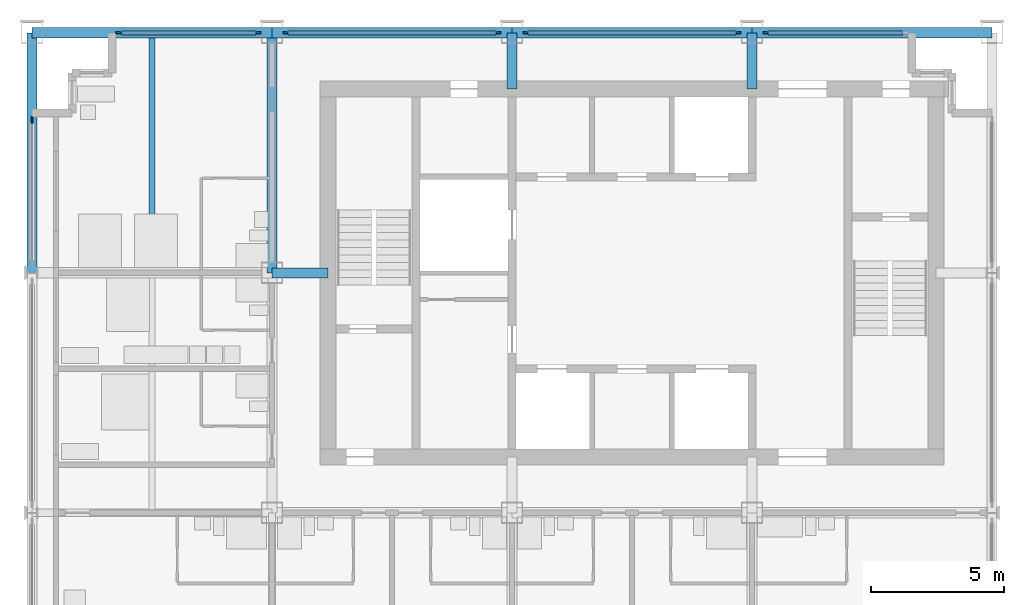
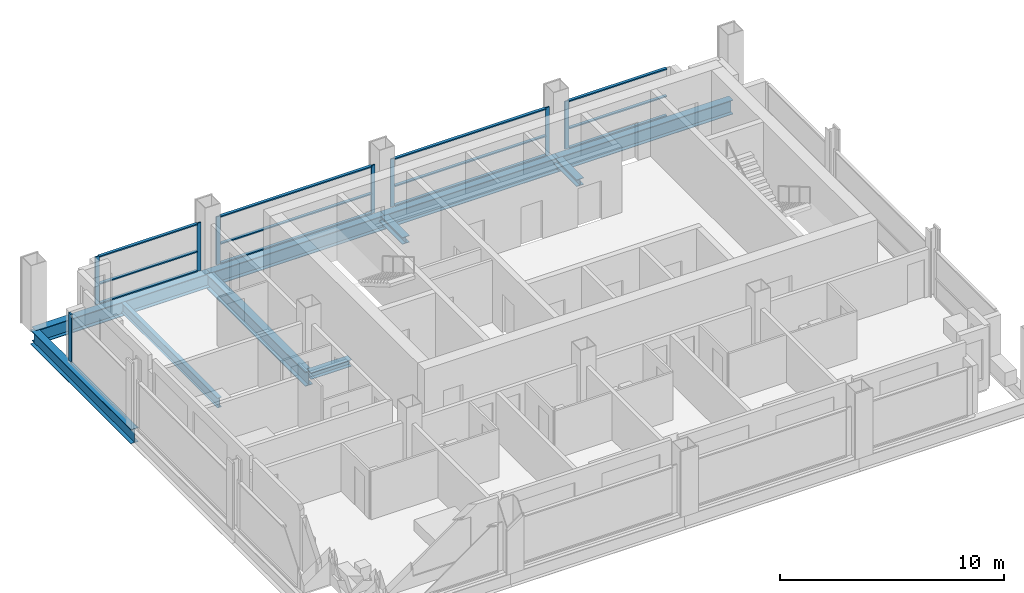
# One storey, part 3 of 12: 23 members, 7 beams, 5 elements without a shape of their own.
"""IFC4 building model written with IfcOpenShell, lengths in metres."""

from ifc_helpers import new_model, si_unit, direction, frame, origin, origin_2d, place, context, subcontext, project, spatial, rectangle, i_section, extrude, material, material_profile, profile_set, type_object, element, aggregate, save


model = new_model("IFC4")

# Units and contexts
model_context = context("Model", 3, precision=1e-05, world=origin(), true_north=direction((0.0, 1.0)))
body_context = subcontext(model_context, "Body", "Model", "MODEL_VIEW")
ifc_project = project(units=[si_unit("LENGTHUNIT", "METRE"), si_unit("AREAUNIT", "SQUARE_METRE"), si_unit("VOLUMEUNIT", "CUBIC_METRE"), si_unit("PLANEANGLEUNIT", "RADIAN"), si_unit("MASSUNIT", "GRAM", prefix="KILO")], contexts=[model_context])

# Site, building, storey
site_placement = place(None, origin())
site = spatial("IfcSite", under=ifc_project, at=site_placement, CompositionType="ELEMENT")
building_placement = place(site_placement, origin())
building = spatial("IfcBuilding", under=site, at=building_placement, Name="Loomwork Tower", CompositionType="ELEMENT")
storey_placement = place(building_placement, frame((0.0, 0.0, 251.800048828125)))
storey = spatial("IfcBuildingStorey", under=building, at=storey_placement, Name="L69", CompositionType="ELEMENT", Elevation=251.800048828125)

# Beam
ifc_material_1 = material(Name="Steel ASTM A992", Category="steel")
ifc_material_profile_1 = material_profile(ifc_material_1, i_section(OverallWidth=0.383544921875, OverallDepth=0.794921875, WebThickness=0.02099609375, FlangeThickness=0.0380859375, at=origin_2d()), Name="W30x235")
ifc_profile_set_1 = profile_set([ifc_material_profile_1], Name="Steel ASTM A992")
beam_type_1 = type_object("IfcBeamType", Name="CORE FLANK GIRDER W30x235", PredefinedType="BEAM", material=ifc_profile_set_1)
beam_1_placement = place(storey_placement, frame((9.0, 18.0, -0.59765625), z_axis=(0.0, 1.0, 0.0), x_axis=(-1.0, 0.0, 0.0)))
element("IfcBeam", 1, at=beam_1_placement, inside=storey, type_object=beam_type_1, Name="Core Flank Girder F/3-G/3 L69", PredefinedType="BEAM", context=body_context, shape_type="SweptSolid", body=[
    extrude(i_section(OverallWidth=0.383544921875, OverallDepth=0.794921875, WebThickness=0.02099609375, FlangeThickness=0.0380859375, at=origin_2d()), origin(), (0.0, 0.0, 1.0), 9.0),
])

# Members
ifc_material_2 = material(Name="Steel ASTM A992", Category="steel")
ifc_material_profile_2 = material_profile(ifc_material_2, i_section(OverallWidth=0.373291015625, OverallDepth=0.373291015625, WebThickness=0.016357421875, FlangeThickness=0.026123046875, at=origin_2d()), Name="W14x132")
ifc_profile_set_2 = profile_set([ifc_material_profile_2], Name="Steel ASTM A992")
member_type_1 = type_object("IfcMemberType", Name="CORE LINK STRUT W14x132", PredefinedType="STRUT", material=ifc_profile_set_2)
for number, where, z_axis, x_axis, name in (
    (2, (18.0, 27.0, -0.38671875), (0.0, -1.0, 0.0), (1.0, 0.0, 0.0), "Core link strut G/4-18.000,24.900 L69"),
    (3, (27.0, 27.0, -0.38671875), (0.0, -1.0, 0.0), (1.0, 0.0, 0.0), "Core link strut G/5-27.000,24.900 L69"),
    (4, (9.0, 18.0, -0.38671875), (1.0, 0.0, 0.0), (0.0, 1.0, 0.0), "Core link strut F/3-11.100,18.000 L69"),
):
    element("IfcMember", number, at=place(storey_placement, frame(where, z_axis=z_axis, x_axis=x_axis)), inside=storey, type_object=member_type_1, Name=name, PredefinedType="STRUT", context=body_context, shape_type="SweptSolid", body=[
        extrude(i_section(OverallWidth=0.373291015625, OverallDepth=0.373291015625, WebThickness=0.016357421875, FlangeThickness=0.026123046875, at=origin_2d()), origin(), (0.0, 0.0, 1.0), 2.10009765625),
    ])

# Beam
ifc_material_3 = material(Name="Steel ASTM A992", Category="steel")
ifc_material_profile_3 = material_profile(ifc_material_3, i_section(OverallWidth=0.2109375, OverallDepth=0.53857421875, WebThickness=0.011474609375, FlangeThickness=0.018798828125, at=origin_2d()), Name="W21x73")
ifc_profile_set_3 = profile_set([ifc_material_profile_3], Name="Steel ASTM A992")
beam_type_2 = type_object("IfcBeamType", Name="FLOOR JOIST W21x73", PredefinedType="JOIST", material=ifc_profile_set_3)
beam_2_placement = place(storey_placement, frame((4.5, 18.19091796875, -0.46923828125), z_axis=(0.0, 1.0, 0.0), x_axis=(-1.0, 0.0, 0.0)))
element("IfcBeam", 5, at=beam_2_placement, inside=storey, type_object=beam_type_2, Name="Floor Joist 4.500,18.000-4.500,27.000 L69", PredefinedType="JOIST", context=body_context, shape_type="SweptSolid", body=[
    extrude(i_section(OverallWidth=0.2109375, OverallDepth=0.53857421875, WebThickness=0.011474609375, FlangeThickness=0.018798828125, at=origin_2d()), origin(), (0.0, 0.0, 1.0), 8.619140625),
])

# Curtain wall, member
ifc_material_4 = material(Name="Aluminium curtain wall frame", Category="aluminium")
curtain_wall_type_1 = type_object("IfcCurtainWallType", Name="Outer skin glazing suites", PredefinedType="NOTDEFINED", material=ifc_material_4)
curtain_wall_1_placement = place(storey_placement, origin())
curtain_wall_1 = element("IfcCurtainWall", 6, at=curtain_wall_1_placement, inside=storey, type_object=curtain_wall_type_1, Name="Outer skin glazing suites cw/W-18", PredefinedType="NOTDEFINED")
ifc_material_5 = material(Name="Aluminium curtain wall frame", Category="aluminium")
ifc_material_profile_4 = material_profile(ifc_material_5, rectangle(XDim=0.06494140625, YDim=0.25, at=origin_2d()), Name="AL 65x250")
ifc_profile_set_4 = profile_set([ifc_material_profile_4], Name="Aluminium curtain wall frame")
member_type_2 = type_object("IfcMemberType", Name="Outer skin glazing suites mullion", PredefinedType="MULLION", material=ifc_profile_set_4)
member_1_placement = place(storey_placement, frame((0.0, 23.72509765625, 0.0), z_axis=(0.0, 0.0, 1.0), x_axis=(1.0, 0.0, 0.0)))
member_1 = element("IfcMember", 7, at=member_1_placement, type_object=member_type_2, Name="CW2 mullion 1", PredefinedType="MULLION", context=body_context, shape_type="SweptSolid", body=[
    extrude(rectangle(XDim=0.06494140625, YDim=0.25, at=origin_2d()), origin(), (0.0, 0.0, 1.0), 2.6201171875),
])
aggregate(curtain_wall_1, [member_1])

# Beams
ifc_material_6 = material(Name="Steel ASTM A992", Category="steel")
ifc_material_profile_5 = material_profile(ifc_material_6, i_section(OverallWidth=0.381103515625, OverallDepth=0.77978515625, WebThickness=0.01806640625, FlangeThickness=0.0302734375, at=origin_2d()), Name="W30x191")
ifc_profile_set_5 = profile_set([ifc_material_profile_5], Name="Steel ASTM A992")
beam_type_3 = type_object("IfcBeamType", Name="SPANDREL GIRDER W30x191", PredefinedType="SPANDREL", material=ifc_profile_set_5)
for number, where, z_axis, x_axis, name in (
    (8, (0.0, 27.0, -0.58984375), (1.0, 0.0, 0.0), (0.0, 1.0, 0.0), "Spandrel Girder G/2-G/3 L69"),
    (9, (9.0, 27.0, -0.58984375), (1.0, 0.0, 0.0), (0.0, 1.0, 0.0), "Spandrel Girder G/3-G/4 L69"),
    (10, (18.0, 27.0, -0.58984375), (1.0, 0.0, 0.0), (0.0, 1.0, 0.0), "Spandrel Girder G/4-G/5 L69"),
    (11, (27.0, 27.0, -0.58984375), (1.0, 0.0, 0.0), (0.0, 1.0, 0.0), "Spandrel Girder G/5-G/6 L69"),
    (12, (0.0, 18.0, -0.58984375), (0.0, 1.0, 0.0), (-1.0, 0.0, 0.0), "Spandrel Girder F/2-G/2 L69"),
):
    element("IfcBeam", number, at=place(storey_placement, frame(where, z_axis=z_axis, x_axis=x_axis)), inside=storey, type_object=beam_type_3, Name=name, PredefinedType="SPANDREL", context=body_context, shape_type="SweptSolid", body=[
        extrude(i_section(OverallWidth=0.381103515625, OverallDepth=0.77978515625, WebThickness=0.01806640625, FlangeThickness=0.0302734375, at=origin_2d()), origin(), (0.0, 0.0, 1.0), 9.0),
    ])

# Curtain wall, members
ifc_material_7 = material(Name="Aluminium curtain wall frame", Category="aluminium")
curtain_wall_type_2 = type_object("IfcCurtainWallType", Name="Single skin glazing corridor", PredefinedType="NOTDEFINED", material=ifc_material_7)
curtain_wall_2_placement = place(storey_placement, origin())
curtain_wall_2 = element("IfcCurtainWall", 13, at=curtain_wall_2_placement, inside=storey, type_object=curtain_wall_type_2, Name="Single skin glazing corridor cw/N-0", PredefinedType="NOTDEFINED")
ifc_material_8 = material(Name="Aluminium curtain wall frame", Category="aluminium")
ifc_material_profile_6 = material_profile(ifc_material_8, rectangle(XDim=0.06494140625, YDim=0.199951171875, at=origin_2d()), Name="AL 65x200")
ifc_profile_set_6 = profile_set([ifc_material_profile_6], Name="Aluminium curtain wall frame")
member_type_3 = type_object("IfcMemberType", Name="Single skin glazing corridor mullion", PredefinedType="MULLION", material=ifc_profile_set_6)
member_2_placement = place(storey_placement, frame((8.5, 27.0, 0.0), z_axis=(0.0, 0.0, 1.0), x_axis=(0.0, -1.0, 0.0)))
member_2 = element("IfcMember", 14, at=member_2_placement, type_object=member_type_3, Name="CW3 mullion 1", PredefinedType="MULLION", context=body_context, shape_type="SweptSolid", body=[
    extrude(rectangle(XDim=0.06494140625, YDim=0.199951171875, at=origin_2d()), origin(), (0.0, 0.0, 1.0), 2.6201171875),
])
member_3_placement = place(storey_placement, frame((3.25, 27.0, 0.0), z_axis=(0.0, 0.0, 1.0), x_axis=(0.0, -1.0, 0.0)))
member_3 = element("IfcMember", 15, at=member_3_placement, type_object=member_type_3, Name="CW3 mullion 2", PredefinedType="MULLION", context=body_context, shape_type="SweptSolid", body=[
    extrude(rectangle(XDim=0.06494140625, YDim=0.199951171875, at=origin_2d()), origin(), (0.0, 0.0, 1.0), 2.6201171875),
])

curtain_wall_3_placement = place(storey_placement, origin())
curtain_wall_3 = element("IfcCurtainWall", 16, at=curtain_wall_3_placement, inside=storey, type_object=curtain_wall_type_2, Name="Single skin glazing corridor cw/N-9", PredefinedType="NOTDEFINED")
member_4_placement = place(storey_placement, frame((17.5, 27.0, 0.0), z_axis=(0.0, 0.0, 1.0), x_axis=(0.0, -1.0, 0.0)))
member_4 = element("IfcMember", 17, at=member_4_placement, type_object=member_type_3, Name="CW3 mullion 1", PredefinedType="MULLION", context=body_context, shape_type="SweptSolid", body=[
    extrude(rectangle(XDim=0.06494140625, YDim=0.199951171875, at=origin_2d()), origin(), (0.0, 0.0, 1.0), 2.6201171875),
])
member_5_placement = place(storey_placement, frame((9.5, 27.0, 0.0), z_axis=(0.0, 0.0, 1.0), x_axis=(0.0, -1.0, 0.0)))
member_5 = element("IfcMember", 18, at=member_5_placement, type_object=member_type_3, Name="CW3 mullion 2", PredefinedType="MULLION", context=body_context, shape_type="SweptSolid", body=[
    extrude(rectangle(XDim=0.06494140625, YDim=0.199951171875, at=origin_2d()), origin(), (0.0, 0.0, 1.0), 2.6201171875),
])

curtain_wall_4_placement = place(storey_placement, origin())
curtain_wall_4 = element("IfcCurtainWall", 19, at=curtain_wall_4_placement, inside=storey, type_object=curtain_wall_type_2, Name="Single skin glazing corridor cw/N-18", PredefinedType="NOTDEFINED")
member_6_placement = place(storey_placement, frame((26.5, 27.0, 0.0), z_axis=(0.0, 0.0, 1.0), x_axis=(0.0, -1.0, 0.0)))
member_6 = element("IfcMember", 20, at=member_6_placement, type_object=member_type_3, Name="CW3 mullion 1", PredefinedType="MULLION", context=body_context, shape_type="SweptSolid", body=[
    extrude(rectangle(XDim=0.06494140625, YDim=0.199951171875, at=origin_2d()), origin(), (0.0, 0.0, 1.0), 2.6201171875),
])
member_7_placement = place(storey_placement, frame((18.5, 27.0, 0.0), z_axis=(0.0, 0.0, 1.0), x_axis=(0.0, -1.0, 0.0)))
member_7 = element("IfcMember", 21, at=member_7_placement, type_object=member_type_3, Name="CW3 mullion 2", PredefinedType="MULLION", context=body_context, shape_type="SweptSolid", body=[
    extrude(rectangle(XDim=0.06494140625, YDim=0.199951171875, at=origin_2d()), origin(), (0.0, 0.0, 1.0), 2.6201171875),
])

# Curtain wall, member
curtain_wall_5_placement = place(storey_placement, origin())
curtain_wall_5 = element("IfcCurtainWall", 22, at=curtain_wall_5_placement, inside=storey, type_object=curtain_wall_type_2, Name="Single skin glazing corridor cw/N-27", PredefinedType="NOTDEFINED")
member_8_placement = place(storey_placement, frame((27.5, 27.0, 0.0), z_axis=(0.0, 0.0, 1.0), x_axis=(0.0, -1.0, 0.0)))
member_8 = element("IfcMember", 23, at=member_8_placement, type_object=member_type_3, Name="CW3 mullion 2", PredefinedType="MULLION", context=body_context, shape_type="SweptSolid", body=[
    extrude(rectangle(XDim=0.06494140625, YDim=0.199951171875, at=origin_2d()), origin(), (0.0, 0.0, 1.0), 2.6201171875),
])

# Member
ifc_material_9 = material(Name="Aluminium curtain wall frame", Category="aluminium")
ifc_material_profile_7 = material_profile(ifc_material_9, rectangle(XDim=0.14990234375, YDim=0.06494140625, at=origin_2d()), Name="AL 65x150")
ifc_profile_set_7 = profile_set([ifc_material_profile_7], Name="Aluminium curtain wall frame")
member_type_4 = type_object("IfcMemberType", Name="Single skin glazing corridor transom", PredefinedType="USERDEFINED", material=ifc_profile_set_7)
member_9_placement = place(storey_placement, frame((8.39990234375, 27.0, 0.032470703125), z_axis=(-1.0, 0.0, 0.0), x_axis=(0.0, -1.0, 0.0)))
member_9 = element("IfcMember", 24, at=member_9_placement, type_object=member_type_4, Name="CW3 transom 1.1", ObjectType="TRANSOM", PredefinedType="USERDEFINED", context=body_context, shape_type="SweptSolid", body=[
    extrude(rectangle(XDim=0.14990234375, YDim=0.06494140625, at=origin_2d()), origin(), (0.0, 0.0, 1.0), 5.0498046875),
])

member_10_placement = place(storey_placement, frame((8.39990234375, 27.0, 1.099853515625), z_axis=(-1.0, 0.0, 0.0), x_axis=(0.0, -1.0, 0.0)))
member_10 = element("IfcMember", 25, at=member_10_placement, type_object=member_type_4, Name="CW3 transom 1.2", ObjectType="TRANSOM", PredefinedType="USERDEFINED", context=body_context, shape_type="SweptSolid", body=[
    extrude(rectangle(XDim=0.14990234375, YDim=0.06494140625, at=origin_2d()), origin(), (0.0, 0.0, 1.0), 5.0498046875),
])

member_11_placement = place(storey_placement, frame((8.39990234375, 27.0, 2.587646484375), z_axis=(-1.0, 0.0, 0.0), x_axis=(0.0, -1.0, 0.0)))
member_11 = element("IfcMember", 26, at=member_11_placement, type_object=member_type_4, Name="CW3 transom 1.3", ObjectType="TRANSOM", PredefinedType="USERDEFINED", context=body_context, shape_type="SweptSolid", body=[
    extrude(rectangle(XDim=0.14990234375, YDim=0.06494140625, at=origin_2d()), origin(), (0.0, 0.0, 1.0), 5.0498046875),
])

aggregate(curtain_wall_2, [member_2, member_3, member_9, member_10, member_11])

member_12_placement = place(storey_placement, frame((17.39990234375, 27.0, 0.032470703125), z_axis=(-1.0, 0.0, 0.0), x_axis=(0.0, -1.0, 0.0)))
member_12 = element("IfcMember", 27, at=member_12_placement, type_object=member_type_4, Name="CW3 transom 1.1", ObjectType="TRANSOM", PredefinedType="USERDEFINED", context=body_context, shape_type="SweptSolid", body=[
    extrude(rectangle(XDim=0.14990234375, YDim=0.06494140625, at=origin_2d()), origin(), (0.0, 0.0, 1.0), 7.7998046875),
])

member_13_placement = place(storey_placement, frame((17.39990234375, 27.0, 1.099853515625), z_axis=(-1.0, 0.0, 0.0), x_axis=(0.0, -1.0, 0.0)))
member_13 = element("IfcMember", 28, at=member_13_placement, type_object=member_type_4, Name="CW3 transom 1.2", ObjectType="TRANSOM", PredefinedType="USERDEFINED", context=body_context, shape_type="SweptSolid", body=[
    extrude(rectangle(XDim=0.14990234375, YDim=0.06494140625, at=origin_2d()), origin(), (0.0, 0.0, 1.0), 7.7998046875),
])

member_14_placement = place(storey_placement, frame((17.39990234375, 27.0, 2.587646484375), z_axis=(-1.0, 0.0, 0.0), x_axis=(0.0, -1.0, 0.0)))
member_14 = element("IfcMember", 29, at=member_14_placement, type_object=member_type_4, Name="CW3 transom 1.3", ObjectType="TRANSOM", PredefinedType="USERDEFINED", context=body_context, shape_type="SweptSolid", body=[
    extrude(rectangle(XDim=0.14990234375, YDim=0.06494140625, at=origin_2d()), origin(), (0.0, 0.0, 1.0), 7.7998046875),
])

aggregate(curtain_wall_3, [member_4, member_5, member_12, member_13, member_14])

member_15_placement = place(storey_placement, frame((26.39990234375, 27.0, 0.032470703125), z_axis=(-1.0, 0.0, 0.0), x_axis=(0.0, -1.0, 0.0)))
member_15 = element("IfcMember", 30, at=member_15_placement, type_object=member_type_4, Name="CW3 transom 1.1", ObjectType="TRANSOM", PredefinedType="USERDEFINED", context=body_context, shape_type="SweptSolid", body=[
    extrude(rectangle(XDim=0.14990234375, YDim=0.06494140625, at=origin_2d()), origin(), (0.0, 0.0, 1.0), 7.7998046875),
])

member_16_placement = place(storey_placement, frame((26.39990234375, 27.0, 1.099853515625), z_axis=(-1.0, 0.0, 0.0), x_axis=(0.0, -1.0, 0.0)))
member_16 = element("IfcMember", 31, at=member_16_placement, type_object=member_type_4, Name="CW3 transom 1.2", ObjectType="TRANSOM", PredefinedType="USERDEFINED", context=body_context, shape_type="SweptSolid", body=[
    extrude(rectangle(XDim=0.14990234375, YDim=0.06494140625, at=origin_2d()), origin(), (0.0, 0.0, 1.0), 7.7998046875),
])

member_17_placement = place(storey_placement, frame((26.39990234375, 27.0, 2.587646484375), z_axis=(-1.0, 0.0, 0.0), x_axis=(0.0, -1.0, 0.0)))
member_17 = element("IfcMember", 32, at=member_17_placement, type_object=member_type_4, Name="CW3 transom 1.3", ObjectType="TRANSOM", PredefinedType="USERDEFINED", context=body_context, shape_type="SweptSolid", body=[
    extrude(rectangle(XDim=0.14990234375, YDim=0.06494140625, at=origin_2d()), origin(), (0.0, 0.0, 1.0), 7.7998046875),
])

aggregate(curtain_wall_4, [member_6, member_7, member_15, member_16, member_17])

member_18_placement = place(storey_placement, frame((32.64990234375, 27.0, 0.032470703125), z_axis=(-1.0, 0.0, 0.0), x_axis=(0.0, -1.0, 0.0)))
member_18 = element("IfcMember", 33, at=member_18_placement, type_object=member_type_4, Name="CW3 transom 1.1", ObjectType="TRANSOM", PredefinedType="USERDEFINED", context=body_context, shape_type="SweptSolid", body=[
    extrude(rectangle(XDim=0.14990234375, YDim=0.06494140625, at=origin_2d()), origin(), (0.0, 0.0, 1.0), 5.0498046875),
])

member_19_placement = place(storey_placement, frame((32.64990234375, 27.0, 1.099853515625), z_axis=(-1.0, 0.0, 0.0), x_axis=(0.0, -1.0, 0.0)))
member_19 = element("IfcMember", 34, at=member_19_placement, type_object=member_type_4, Name="CW3 transom 1.2", ObjectType="TRANSOM", PredefinedType="USERDEFINED", context=body_context, shape_type="SweptSolid", body=[
    extrude(rectangle(XDim=0.14990234375, YDim=0.06494140625, at=origin_2d()), origin(), (0.0, 0.0, 1.0), 5.0498046875),
])

member_20_placement = place(storey_placement, frame((32.64990234375, 27.0, 2.587646484375), z_axis=(-1.0, 0.0, 0.0), x_axis=(0.0, -1.0, 0.0)))
member_20 = element("IfcMember", 35, at=member_20_placement, type_object=member_type_4, Name="CW3 transom 1.3", ObjectType="TRANSOM", PredefinedType="USERDEFINED", context=body_context, shape_type="SweptSolid", body=[
    extrude(rectangle(XDim=0.14990234375, YDim=0.06494140625, at=origin_2d()), origin(), (0.0, 0.0, 1.0), 5.0498046875),
])

aggregate(curtain_wall_5, [member_8, member_18, member_19, member_20])

save(model, "model.ifc")
